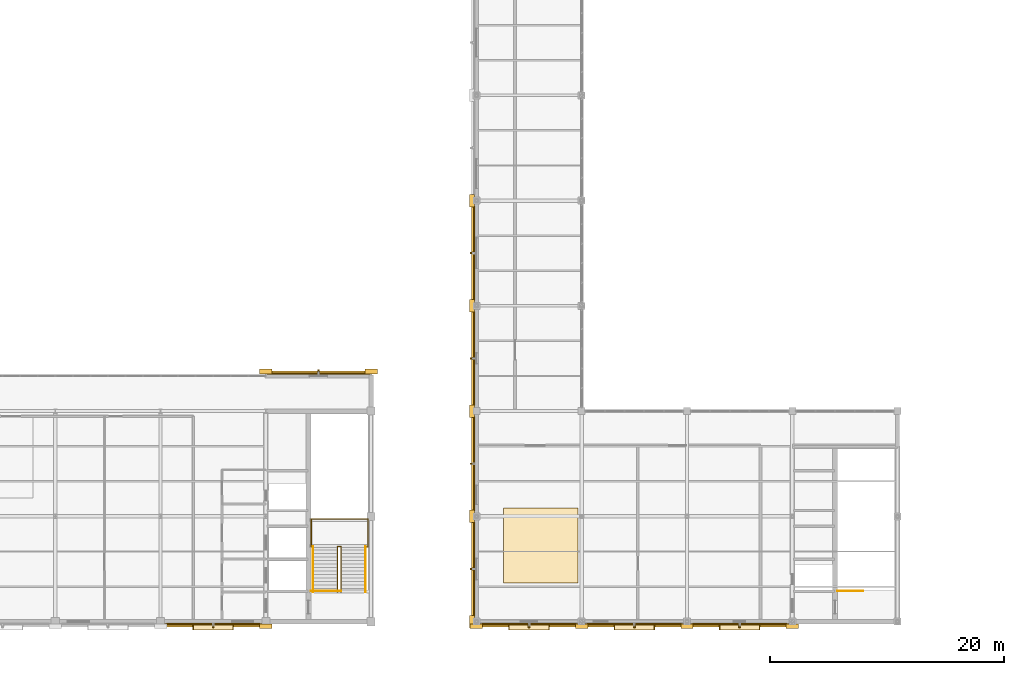
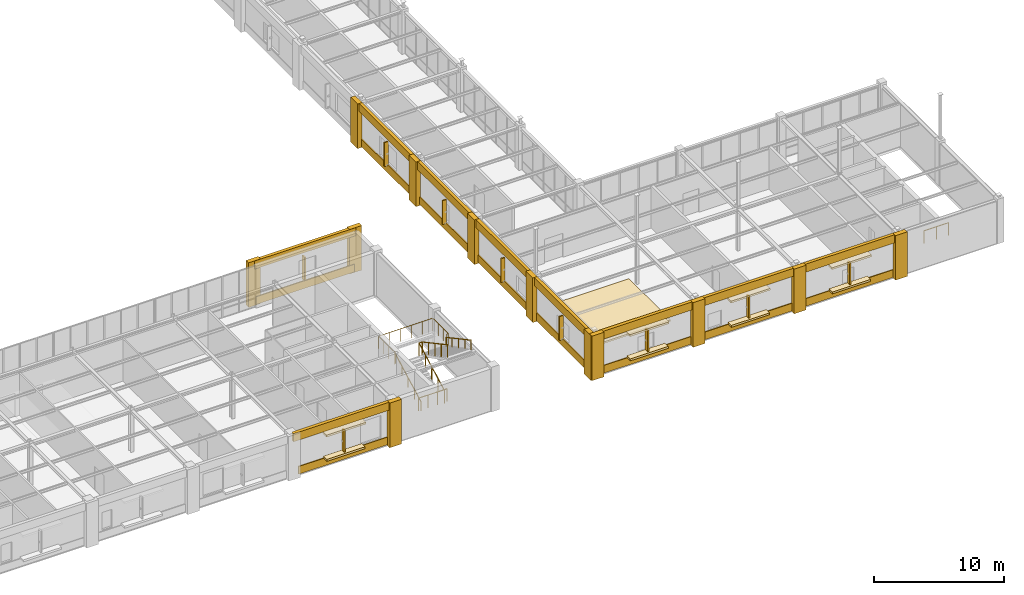
# One storey, part 94 of 97: 39 coverings, 9 shading devices, 6 railings.
"""IFC4 building model written with IfcOpenShell, lengths in metres."""

from ifc_helpers import new_model, si_unit, direction, frame, origin, origin_2d, place, context, subcontext, project, spatial, rectangle, circle, extrude, material, layer, layer_set, type_object, element, save


model = new_model("IFC4")

# Units and contexts
model_context = context("Model", 3, precision=1e-05, world=origin(), true_north=direction((0.0, 1.0)))
body_context = subcontext(model_context, "Body", "Model", "MODEL_VIEW")
ifc_project = project(units=[si_unit("LENGTHUNIT", "METRE"), si_unit("AREAUNIT", "SQUARE_METRE"), si_unit("VOLUMEUNIT", "CUBIC_METRE"), si_unit("PLANEANGLEUNIT", "RADIAN"), si_unit("MASSUNIT", "GRAM", prefix="KILO")], contexts=[model_context])

# Site, building, storey
site_placement = place(None, origin())
site = spatial("IfcSite", under=ifc_project, at=site_placement, CompositionType="ELEMENT")
building_placement = place(site_placement, origin())
building = spatial("IfcBuilding", under=site, at=building_placement, Name="Lykobir Media Centre", CompositionType="ELEMENT")
storey_placement = place(building_placement, frame((0.0, 0.0, 23.39990234375)))
storey = spatial("IfcBuildingStorey", under=building, at=storey_placement, Name="L05", CompositionType="ELEMENT", Elevation=23.39990234375)

# Coverings
ifc_material_1 = material(Name="Glazed Turquoise Terracotta", Category="masonry")
ifc_layer_1 = layer(ifc_material_1, 0.0400390625, Name="Glazed Turquoise Terracotta")
ifc_layer_set_1 = layer_set([ifc_layer_1], Name="Glazed Turquoise Terracotta")
covering_type_1 = type_object("IfcCoveringType", Name="CLD-TERR", PredefinedType="CLADDING", material=ifc_layer_set_1)
for number, where, z_axis, x_axis, name in (
    (1, (89.803955078125, 22.5, 0.080078125), (0.0, 0.0, 1.0), (0.0, -1.0, 0.0), "Facade spandrel apron 737"),
    (2, (89.803955078125, 31.5, 0.080078125), (0.0, 0.0, 1.0), (0.0, -1.0, 0.0), "Facade spandrel apron 740"),
    (3, (89.803955078125, 4.5, 0.080078125), (0.0, 0.0, 1.0), (0.0, -1.0, 0.0), "Facade spandrel apron 756"),
    (4, (89.803955078125, 13.5, 0.080078125), (0.0, 0.0, 1.0), (0.0, -1.0, 0.0), "Facade spandrel apron 758"),
    (5, (94.5, -0.196044921875, 0.080078125), (0.0, 0.0, 1.0), (1.0, 0.0, 0.0), "Facade spandrel apron 762"),
    (6, (103.5, -0.196044921875, 0.080078125), (0.0, 0.0, 1.0), (1.0, 0.0, 0.0), "Facade spandrel apron 767"),
    (7, (112.5, -0.196044921875, 0.080078125), (0.0, 0.0, 1.0), (1.0, 0.0, 0.0), "Facade spandrel apron 772"),
):
    element("IfcCovering", number, at=place(storey_placement, frame(where, z_axis=z_axis, x_axis=x_axis)), inside=storey, type_object=covering_type_1, Name=name, PredefinedType="CLADDING", context=body_context, shape_type="SweptSolid", body=[
        extrude(rectangle(XDim=8.030029296875, YDim=0.10009765625, at=origin_2d()), origin(), (0.0, 0.0, 1.0), 0.719970703125),
    ])
covering_1_placement = place(storey_placement, frame((76.5, 21.196044921875, 0.080078125), z_axis=(0.0, 0.0, 1.0), x_axis=(-1.0, 0.0, 0.0)))
element("IfcCovering", 8, at=covering_1_placement, inside=storey, type_object=covering_type_1, Name="Facade spandrel apron 778", PredefinedType="CLADDING", context=body_context, shape_type="SweptSolid", body=[
    extrude(rectangle(XDim=8.75, YDim=0.10009765625, at=origin_2d()), origin(), (0.0, 0.0, 1.0), 0.719970703125),
])
covering_2_placement = place(storey_placement, frame((67.5, -0.196044921875, 0.080078125), z_axis=(0.0, 0.0, 1.0), x_axis=(1.0, 0.0, 0.0)))
element("IfcCovering", 9, at=covering_2_placement, inside=storey, type_object=covering_type_1, Name="Facade spandrel apron 842", PredefinedType="CLADDING", context=body_context, shape_type="SweptSolid", body=[
    extrude(rectangle(XDim=7.929931640625, YDim=0.10009765625, at=origin_2d()), origin(), (0.0, 0.0, 1.0), 0.719970703125),
])
ifc_material_2 = material(Name="Honed Travertine Stone", Category="masonry")
ifc_layer_2 = layer(ifc_material_2, 0.050048828125, Name="Honed Travertine Stone")
ifc_layer_set_2 = layer_set([ifc_layer_2], Name="Honed Travertine Stone")
covering_type_2 = type_object("IfcCoveringType", Name="CLD-TRAV", PredefinedType="CLADDING", material=ifc_layer_set_2)
for number, where, z_axis, x_axis, name in (
    (10, (89.6201171875, 27.0, 0.0), (0.0, 0.0, 1.0), (0.0, -1.0, 0.0), "Travertine column pier 734"),
    (11, (89.6201171875, 18.0, 0.0), (0.0, 0.0, 1.0), (0.0, -1.0, 0.0), "Travertine column pier 735"),
):
    element("IfcCovering", number, at=place(storey_placement, frame(where, z_axis=z_axis, x_axis=x_axis)), inside=storey, type_object=covering_type_2, Name=name, PredefinedType="CLADDING", context=body_context, shape_type="SweptSolid", body=[
        extrude(rectangle(XDim=1.06005859375, YDim=0.39990234375, at=origin_2d()), origin(), (0.0, 0.0, 1.0), 4.199951171875),
    ])
covering_3_placement = place(storey_placement, frame((89.699951171875, 22.5, 3.43994140625), z_axis=(0.0, 0.0, 1.0), x_axis=(0.0, -1.0, 0.0)))
element("IfcCovering", 12, at=covering_3_placement, inside=storey, type_object=covering_type_2, Name="Travertine spandrel stringcourse 736", PredefinedType="CLADDING", context=body_context, shape_type="SweptSolid", body=[
    extrude(rectangle(XDim=9.0, YDim=0.280029296875, at=origin_2d()), origin(), (0.0, 0.0, 1.0), 0.760009765625),
])
covering_4_placement = place(storey_placement, frame((89.6201171875, 36.0, 0.0), z_axis=(0.0, 0.0, 1.0), x_axis=(0.0, -1.0, 0.0)))
element("IfcCovering", 13, at=covering_4_placement, inside=storey, type_object=covering_type_2, Name="Travertine column pier 738", PredefinedType="CLADDING", context=body_context, shape_type="SweptSolid", body=[
    extrude(rectangle(XDim=1.06005859375, YDim=0.39990234375, at=origin_2d()), origin(), (0.0, 0.0, 1.0), 4.199951171875),
])
covering_5_placement = place(storey_placement, frame((89.699951171875, 31.5, 3.43994140625), z_axis=(0.0, 0.0, 1.0), x_axis=(0.0, -1.0, 0.0)))
element("IfcCovering", 14, at=covering_5_placement, inside=storey, type_object=covering_type_2, Name="Travertine spandrel stringcourse 739", PredefinedType="CLADDING", context=body_context, shape_type="SweptSolid", body=[
    extrude(rectangle(XDim=9.0, YDim=0.280029296875, at=origin_2d()), origin(), (0.0, 0.0, 1.0), 0.760009765625),
])
for number, where, z_axis, x_axis, name in (
    (15, (89.6201171875, 9.0, 0.0), (0.0, 0.0, 1.0), (0.0, -1.0, 0.0), "Travertine column pier 753"),
    (16, (89.6201171875, 0.0, 0.0), (0.0, 0.0, 1.0), (0.0, -1.0, 0.0), "Travertine column pier 754"),
):
    element("IfcCovering", number, at=place(storey_placement, frame(where, z_axis=z_axis, x_axis=x_axis)), inside=storey, type_object=covering_type_2, Name=name, PredefinedType="CLADDING", context=body_context, shape_type="SweptSolid", body=[
        extrude(rectangle(XDim=1.06005859375, YDim=0.39990234375, at=origin_2d()), origin(), (0.0, 0.0, 1.0), 4.199951171875),
    ])
for number, where, z_axis, x_axis, name in (
    (17, (89.699951171875, 4.5, 3.43994140625), (0.0, 0.0, 1.0), (0.0, -1.0, 0.0), "Travertine spandrel stringcourse 755"),
    (18, (89.699951171875, 13.5, 3.43994140625), (0.0, 0.0, 1.0), (0.0, -1.0, 0.0), "Travertine spandrel stringcourse 757"),
):
    element("IfcCovering", number, at=place(storey_placement, frame(where, z_axis=z_axis, x_axis=x_axis)), inside=storey, type_object=covering_type_2, Name=name, PredefinedType="CLADDING", context=body_context, shape_type="SweptSolid", body=[
        extrude(rectangle(XDim=9.0, YDim=0.280029296875, at=origin_2d()), origin(), (0.0, 0.0, 1.0), 0.760009765625),
    ])
for number, where, z_axis, x_axis, name in (
    (19, (90.0, -0.3798828125, 0.0), (0.0, 0.0, 1.0), (1.0, 0.0, 0.0), "Travertine column pier 759"),
    (20, (99.0, -0.3798828125, 0.0), (0.0, 0.0, 1.0), (1.0, 0.0, 0.0), "Travertine column pier 760"),
):
    element("IfcCovering", number, at=place(storey_placement, frame(where, z_axis=z_axis, x_axis=x_axis)), inside=storey, type_object=covering_type_2, Name=name, PredefinedType="CLADDING", context=body_context, shape_type="SweptSolid", body=[
        extrude(rectangle(XDim=1.06005859375, YDim=0.39990234375, at=origin_2d()), origin(), (0.0, 0.0, 1.0), 4.199951171875),
    ])
covering_6_placement = place(storey_placement, frame((94.5, -0.300048828125, 3.43994140625), z_axis=(0.0, 0.0, 1.0), x_axis=(1.0, 0.0, 0.0)))
element("IfcCovering", 21, at=covering_6_placement, inside=storey, type_object=covering_type_2, Name="Travertine spandrel stringcourse 761", PredefinedType="CLADDING", context=body_context, shape_type="SweptSolid", body=[
    extrude(rectangle(XDim=9.0, YDim=0.280029296875, at=origin_2d()), origin(), (0.0, 0.0, 1.0), 0.760009765625),
])
covering_7_placement = place(storey_placement, frame((94.5, -0.429931640625, 0.77001953125), z_axis=(0.0, 0.0, 1.0), x_axis=(1.0, 0.0, 0.0)))
element("IfcCovering", 22, at=covering_7_placement, inside=storey, type_object=covering_type_2, Name="Ottoman Cumba sill 763", PredefinedType="CLADDING", context=body_context, shape_type="SweptSolid", body=[
    extrude(rectangle(XDim=3.39990234375, YDim=0.52001953125, at=origin_2d()), origin(), (0.0, 0.0, 1.0), 0.179931640625),
])
covering_8_placement = place(storey_placement, frame((94.5, -0.429931640625, 3.09033203125), z_axis=(0.0, 0.0, 1.0), x_axis=(1.0, 0.0, 0.0)))
element("IfcCovering", 23, at=covering_8_placement, inside=storey, type_object=covering_type_2, Name="Ottoman Cumba canopy 764", PredefinedType="CLADDING", context=body_context, shape_type="SweptSolid", body=[
    extrude(rectangle(XDim=3.5, YDim=0.60009765625, at=origin_2d()), origin(), (0.0, 0.0, 1.0), 0.179931640625),
])
covering_9_placement = place(storey_placement, frame((108.0, -0.3798828125, 0.0), z_axis=(0.0, 0.0, 1.0), x_axis=(1.0, 0.0, 0.0)))
element("IfcCovering", 24, at=covering_9_placement, inside=storey, type_object=covering_type_2, Name="Travertine column pier 765", PredefinedType="CLADDING", context=body_context, shape_type="SweptSolid", body=[
    extrude(rectangle(XDim=1.06005859375, YDim=0.39990234375, at=origin_2d()), origin(), (0.0, 0.0, 1.0), 4.199951171875),
])
covering_10_placement = place(storey_placement, frame((103.5, -0.300048828125, 3.43994140625), z_axis=(0.0, 0.0, 1.0), x_axis=(1.0, 0.0, 0.0)))
element("IfcCovering", 25, at=covering_10_placement, inside=storey, type_object=covering_type_2, Name="Travertine spandrel stringcourse 766", PredefinedType="CLADDING", context=body_context, shape_type="SweptSolid", body=[
    extrude(rectangle(XDim=9.0, YDim=0.280029296875, at=origin_2d()), origin(), (0.0, 0.0, 1.0), 0.760009765625),
])
covering_11_placement = place(storey_placement, frame((103.5, -0.429931640625, 0.77001953125), z_axis=(0.0, 0.0, 1.0), x_axis=(1.0, 0.0, 0.0)))
element("IfcCovering", 26, at=covering_11_placement, inside=storey, type_object=covering_type_2, Name="Ottoman Cumba sill 768", PredefinedType="CLADDING", context=body_context, shape_type="SweptSolid", body=[
    extrude(rectangle(XDim=3.39990234375, YDim=0.52001953125, at=origin_2d()), origin(), (0.0, 0.0, 1.0), 0.179931640625),
])
covering_12_placement = place(storey_placement, frame((103.5, -0.429931640625, 3.09033203125), z_axis=(0.0, 0.0, 1.0), x_axis=(1.0, 0.0, 0.0)))
element("IfcCovering", 27, at=covering_12_placement, inside=storey, type_object=covering_type_2, Name="Ottoman Cumba canopy 769", PredefinedType="CLADDING", context=body_context, shape_type="SweptSolid", body=[
    extrude(rectangle(XDim=3.5, YDim=0.60009765625, at=origin_2d()), origin(), (0.0, 0.0, 1.0), 0.179931640625),
])
covering_13_placement = place(storey_placement, frame((117.0, -0.3798828125, 0.0), z_axis=(0.0, 0.0, 1.0), x_axis=(1.0, 0.0, 0.0)))
element("IfcCovering", 28, at=covering_13_placement, inside=storey, type_object=covering_type_2, Name="Travertine column pier 770", PredefinedType="CLADDING", context=body_context, shape_type="SweptSolid", body=[
    extrude(rectangle(XDim=1.06005859375, YDim=0.39990234375, at=origin_2d()), origin(), (0.0, 0.0, 1.0), 4.199951171875),
])
covering_14_placement = place(storey_placement, frame((112.5, -0.300048828125, 3.43994140625), z_axis=(0.0, 0.0, 1.0), x_axis=(1.0, 0.0, 0.0)))
element("IfcCovering", 29, at=covering_14_placement, inside=storey, type_object=covering_type_2, Name="Travertine spandrel stringcourse 771", PredefinedType="CLADDING", context=body_context, shape_type="SweptSolid", body=[
    extrude(rectangle(XDim=9.0, YDim=0.280029296875, at=origin_2d()), origin(), (0.0, 0.0, 1.0), 0.760009765625),
])
covering_15_placement = place(storey_placement, frame((112.5, -0.429931640625, 0.77001953125), z_axis=(0.0, 0.0, 1.0), x_axis=(1.0, 0.0, 0.0)))
element("IfcCovering", 30, at=covering_15_placement, inside=storey, type_object=covering_type_2, Name="Ottoman Cumba sill 773", PredefinedType="CLADDING", context=body_context, shape_type="SweptSolid", body=[
    extrude(rectangle(XDim=3.39990234375, YDim=0.52001953125, at=origin_2d()), origin(), (0.0, 0.0, 1.0), 0.179931640625),
])
covering_16_placement = place(storey_placement, frame((112.5, -0.429931640625, 3.09033203125), z_axis=(0.0, 0.0, 1.0), x_axis=(1.0, 0.0, 0.0)))
element("IfcCovering", 31, at=covering_16_placement, inside=storey, type_object=covering_type_2, Name="Ottoman Cumba canopy 774", PredefinedType="CLADDING", context=body_context, shape_type="SweptSolid", body=[
    extrude(rectangle(XDim=3.5, YDim=0.60009765625, at=origin_2d()), origin(), (0.0, 0.0, 1.0), 0.179931640625),
])
for number, where, z_axis, x_axis, name in (
    (32, (81.0, 21.3798828125, 0.0), (0.0, 0.0, 1.0), (-1.0, 0.0, 0.0), "Travertine column pier 775"),
    (33, (72.0, 21.3798828125, 0.0), (0.0, 0.0, 1.0), (-1.0, 0.0, 0.0), "Travertine column pier 776"),
):
    element("IfcCovering", number, at=place(storey_placement, frame(where, z_axis=z_axis, x_axis=x_axis)), inside=storey, type_object=covering_type_2, Name=name, PredefinedType="CLADDING", context=body_context, shape_type="SweptSolid", body=[
        extrude(rectangle(XDim=1.06005859375, YDim=0.39990234375, at=origin_2d()), origin(), (0.0, 0.0, 1.0), 4.199951171875),
    ])
covering_17_placement = place(storey_placement, frame((76.5, 21.300048828125, 3.43994140625), z_axis=(0.0, 0.0, 1.0), x_axis=(-1.0, 0.0, 0.0)))
element("IfcCovering", 34, at=covering_17_placement, inside=storey, type_object=covering_type_2, Name="Travertine spandrel stringcourse 777", PredefinedType="CLADDING", context=body_context, shape_type="SweptSolid", body=[
    extrude(rectangle(XDim=9.0, YDim=0.280029296875, at=origin_2d()), origin(), (0.0, 0.0, 1.0), 0.760009765625),
])
covering_18_placement = place(storey_placement, frame((72.0, -0.3798828125, 0.0), z_axis=(0.0, 0.0, 1.0), x_axis=(1.0, 0.0, 0.0)))
element("IfcCovering", 35, at=covering_18_placement, inside=storey, type_object=covering_type_2, Name="Travertine column pier 840", PredefinedType="CLADDING", context=body_context, shape_type="SweptSolid", body=[
    extrude(rectangle(XDim=1.06005859375, YDim=0.39990234375, at=origin_2d()), origin(), (0.0, 0.0, 1.0), 4.199951171875),
])
covering_19_placement = place(storey_placement, frame((67.5, -0.300048828125, 3.43994140625), z_axis=(0.0, 0.0, 1.0), x_axis=(1.0, 0.0, 0.0)))
element("IfcCovering", 36, at=covering_19_placement, inside=storey, type_object=covering_type_2, Name="Travertine spandrel stringcourse 841", PredefinedType="CLADDING", context=body_context, shape_type="SweptSolid", body=[
    extrude(rectangle(XDim=9.0, YDim=0.280029296875, at=origin_2d()), origin(), (0.0, 0.0, 1.0), 0.760009765625),
])
covering_20_placement = place(storey_placement, frame((67.5, -0.429931640625, 0.77001953125), z_axis=(0.0, 0.0, 1.0), x_axis=(1.0, 0.0, 0.0)))
element("IfcCovering", 37, at=covering_20_placement, inside=storey, type_object=covering_type_2, Name="Ottoman Cumba sill 843", PredefinedType="CLADDING", context=body_context, shape_type="SweptSolid", body=[
    extrude(rectangle(XDim=3.39990234375, YDim=0.52001953125, at=origin_2d()), origin(), (0.0, 0.0, 1.0), 0.179931640625),
])
covering_21_placement = place(storey_placement, frame((67.5, -0.429931640625, 3.09033203125), z_axis=(0.0, 0.0, 1.0), x_axis=(1.0, 0.0, 0.0)))
element("IfcCovering", 38, at=covering_21_placement, inside=storey, type_object=covering_type_2, Name="Ottoman Cumba canopy 844", PredefinedType="CLADDING", context=body_context, shape_type="SweptSolid", body=[
    extrude(rectangle(XDim=3.5, YDim=0.60009765625, at=origin_2d()), origin(), (0.0, 0.0, 1.0), 0.179931640625),
])
ifc_material_3 = material(Name="Acoustic Timber Panelling", Category="wood")
ifc_layer_3 = layer(ifc_material_3, 0.14990234375, Name="Acoustic Timber Panelling")
ifc_layer_set_3 = layer_set([ifc_layer_3], Name="Acoustic Timber Panelling")
covering_type_3 = type_object("IfcCoveringType", Name="COV-FLR-150", PredefinedType="FLOORING", material=ifc_layer_set_3)
covering_22_placement = place(storey_placement, frame((95.5, 6.5, 0.000244140625), z_axis=(0.0, 0.0, 1.0), x_axis=(1.0, 0.0, 0.0)))
element("IfcCovering", 39, at=covering_22_placement, inside=storey, type_object=covering_type_3, Name="L05 floating studio acoustic floor 6", PredefinedType="FLOORING", context=body_context, shape_type="SweptSolid", body=[
    extrude(rectangle(XDim=6.39990234375, YDim=6.39990234375, at=origin_2d()), origin(), (0.0, 0.0, 1.0), 0.14990234375),
])

# Railings
ifc_material_4 = material(Name="Steel S355", Category="steel")
railing_type_1 = type_object("IfcRailingType", Name="GR-1200", PredefinedType="BALUSTRADE", material=ifc_material_4)
railing_1_placement = place(storey_placement, frame((75.8701171875, 2.6298828125, 0.0)))
element("IfcRailing", 40, at=railing_1_placement, inside=storey, type_object=railing_type_1, Name="ST-2 L05 arrival well guard", PredefinedType="BALUSTRADE", context=body_context, shape_type="SweptSolid", body=[
    extrude(circle(Radius=0.02392578125, at=origin_2d()), frame((0.0, 0.0, 1.17578125), z_axis=(1.0, 0.0, 0.0), x_axis=(0.0, 1.0, 0.0)), (0.0, 0.0, 1.0), 2.539794921875),
    extrude(circle(Radius=0.02099609375, at=origin_2d()), origin(), (0.0, 0.0, 1.0), 1.15185546875),
    extrude(circle(Radius=0.02099609375, at=origin_2d()), frame((0.8466796875, 0.0, 0.0)), (0.0, 0.0, 1.0), 1.15185546875),
    extrude(circle(Radius=0.02099609375, at=origin_2d()), frame((1.693115234375, 0.0, 0.0)), (0.0, 0.0, 1.0), 1.15185546875),
    extrude(circle(Radius=0.02099609375, at=origin_2d()), frame((2.539794921875, 0.0, 0.0)), (0.0, 0.0, 1.0), 1.15185546875),
])
railing_2_placement = place(storey_placement, frame((78.1298828125, 2.530029296875, 0.0)))
element("IfcRailing", 41, at=railing_2_placement, inside=storey, type_object=railing_type_1, Name="ST-2 L05 inner well and slot guard", PredefinedType="BALUSTRADE", context=body_context, shape_type="SweptSolid", body=[
    extrude(circle(Radius=0.02392578125, at=origin_2d()), frame((0.0, 0.0, 1.17578125), z_axis=(0.0, 0.880456940745, 0.474126117709), x_axis=(-1.0, 0.0, 0.0)), (0.0, 0.0, 1.0), 4.429443359375),
    extrude(circle(Radius=0.02392578125, at=origin_2d()), frame((0.0, 3.89990234375, 3.27587890625), z_axis=(1.0, 0.0, 0.0), x_axis=(0.0, 1.0, 0.0)), (0.0, 0.0, 1.0), 0.280029296875),
    extrude(circle(Radius=0.02392578125, at=origin_2d()), frame((0.280029296875, 3.89990234375, 3.27587890625), z_axis=(0.0, -0.880456940745, 0.474126117709), x_axis=(1.0, 0.0, 0.0)), (0.0, 0.0, 1.0), 4.429443359375),
    extrude(circle(Radius=0.02099609375, at=origin_2d()), origin(), (0.0, 0.0, 1.0), 1.15185546875),
    extrude(circle(Radius=0.02099609375, at=origin_2d()), frame((0.0, 0.97509765625, 0.52490234375)), (0.0, 0.0, 1.0), 1.15185546875),
    extrude(circle(Radius=0.02099609375, at=origin_2d()), frame((0.0, 1.949951171875, 1.050048828125)), (0.0, 0.0, 1.0), 1.15185546875),
    extrude(circle(Radius=0.02099609375, at=origin_2d()), frame((0.0, 2.9248046875, 1.5751953125)), (0.0, 0.0, 1.0), 1.15185546875),
    extrude(circle(Radius=0.02099609375, at=origin_2d()), frame((0.0, 3.89990234375, 2.10009765625)), (0.0, 0.0, 1.0), 1.15185546875),
    extrude(circle(Radius=0.02099609375, at=origin_2d()), frame((0.280029296875, 3.89990234375, 2.10009765625)), (0.0, 0.0, 1.0), 1.15185546875),
    extrude(circle(Radius=0.02099609375, at=origin_2d()), frame((0.280029296875, 2.9248046875, 2.625)), (0.0, 0.0, 1.0), 1.15185546875),
    extrude(circle(Radius=0.02099609375, at=origin_2d()), frame((0.280029296875, 1.949951171875, 3.150146484375)), (0.0, 0.0, 1.0), 1.15185546875),
    extrude(circle(Radius=0.02099609375, at=origin_2d()), frame((0.280029296875, 0.97509765625, 3.67529296875)), (0.0, 0.0, 1.0), 1.15185546875),
    extrude(circle(Radius=0.02099609375, at=origin_2d()), frame((0.280029296875, 0.0, 4.2001953125)), (0.0, 0.0, 1.0), 1.15185546875),
])
railing_3_placement = place(storey_placement, frame((75.989990234375, 6.389892578125, 2.10009765625)))
element("IfcRailing", 42, at=railing_3_placement, inside=storey, type_object=railing_type_1, Name="ST-2 L05 half-landing perimeter guard", PredefinedType="BALUSTRADE", context=body_context, shape_type="SweptSolid", body=[
    extrude(circle(Radius=0.02392578125, at=origin_2d()), frame((0.0, 0.0, 1.17578125), z_axis=(-1.0, 0.0, 0.0), x_axis=(0.0, -1.0, 0.0)), (0.0, 0.0, 1.0), 0.110107421875),
    extrude(circle(Radius=0.02392578125, at=origin_2d()), frame((-0.110107421875, 0.0, 1.17578125), z_axis=(0.0, 1.0, 0.0), x_axis=(-1.0, 0.0, 0.0)), (0.0, 0.0, 1.0), 2.400146484375),
    extrude(circle(Radius=0.02392578125, at=origin_2d()), frame((-0.110107421875, 2.400146484375, 1.17578125), z_axis=(1.0, 0.0, 0.0), x_axis=(0.0, 1.0, 0.0)), (0.0, 0.0, 1.0), 4.840087890625),
    extrude(circle(Radius=0.02392578125, at=origin_2d()), frame((4.72998046875, 2.400146484375, 1.17578125), z_axis=(0.0, -1.0, 0.0), x_axis=(1.0, 0.0, 0.0)), (0.0, 0.0, 1.0), 2.400146484375),
    extrude(circle(Radius=0.02392578125, at=origin_2d()), frame((4.72998046875, 0.0, 1.17578125), z_axis=(-1.0, 0.0, 0.0), x_axis=(0.0, -1.0, 0.0)), (0.0, 0.0, 1.0), 0.169921875),
    extrude(circle(Radius=0.02099609375, at=origin_2d()), origin(), (0.0, 0.0, 1.0), 1.15185546875),
    extrude(circle(Radius=0.02099609375, at=origin_2d()), frame((-0.110107421875, 0.0, 0.0)), (0.0, 0.0, 1.0), 1.15185546875),
    extrude(circle(Radius=0.02099609375, at=origin_2d()), frame((-0.110107421875, 0.800048828125, 0.0)), (0.0, 0.0, 1.0), 1.15185546875),
    extrude(circle(Radius=0.02099609375, at=origin_2d()), frame((-0.110107421875, 1.60009765625, 0.0)), (0.0, 0.0, 1.0), 1.15185546875),
    extrude(circle(Radius=0.02099609375, at=origin_2d()), frame((-0.110107421875, 2.400146484375, 0.0)), (0.0, 0.0, 1.0), 1.15185546875),
    extrude(circle(Radius=0.02099609375, at=origin_2d()), frame((0.85791015625, 2.400146484375, 0.0)), (0.0, 0.0, 1.0), 1.15185546875),
    extrude(circle(Radius=0.02099609375, at=origin_2d()), frame((1.825927734375, 2.400146484375, 0.0)), (0.0, 0.0, 1.0), 1.15185546875),
    extrude(circle(Radius=0.02099609375, at=origin_2d()), frame((2.7939453125, 2.400146484375, 0.0)), (0.0, 0.0, 1.0), 1.15185546875),
    extrude(circle(Radius=0.02099609375, at=origin_2d()), frame((3.761962890625, 2.400146484375, 0.0)), (0.0, 0.0, 1.0), 1.15185546875),
    extrude(circle(Radius=0.02099609375, at=origin_2d()), frame((4.72998046875, 2.400146484375, 0.0)), (0.0, 0.0, 1.0), 1.15185546875),
    extrude(circle(Radius=0.02099609375, at=origin_2d()), frame((4.72998046875, 1.60009765625, 0.0)), (0.0, 0.0, 1.0), 1.15185546875),
    extrude(circle(Radius=0.02099609375, at=origin_2d()), frame((4.72998046875, 0.800048828125, 0.0)), (0.0, 0.0, 1.0), 1.15185546875),
    extrude(circle(Radius=0.02099609375, at=origin_2d()), frame((4.72998046875, 0.0, 0.0)), (0.0, 0.0, 1.0), 1.15185546875),
    extrude(circle(Radius=0.02099609375, at=origin_2d()), frame((4.56005859375, 0.0, 0.0)), (0.0, 0.0, 1.0), 1.15185546875),
])
railing_4_placement = place(storey_placement, frame((120.8701171875, 2.6298828125, 0.0)))
element("IfcRailing", 43, at=railing_4_placement, inside=storey, type_object=railing_type_1, Name="ST-5 L05 arrival well guard", PredefinedType="BALUSTRADE", context=body_context, shape_type="SweptSolid", body=[
    extrude(circle(Radius=0.02392578125, at=origin_2d()), frame((0.0, 0.0, 1.17578125), z_axis=(1.0, 0.0, 0.0), x_axis=(0.0, 1.0, 0.0)), (0.0, 0.0, 1.0), 2.18994140625),
    extrude(circle(Radius=0.02099609375, at=origin_2d()), origin(), (0.0, 0.0, 1.0), 1.15185546875),
    extrude(circle(Radius=0.02099609375, at=origin_2d()), frame((1.094970703125, 0.0, 0.0)), (0.0, 0.0, 1.0), 1.15185546875),
    extrude(circle(Radius=0.02099609375, at=origin_2d()), frame((2.18994140625, 0.0, 0.0)), (0.0, 0.0, 1.0), 1.15185546875),
])
railing_type_2 = type_object("IfcRailingType", Name="HR-0900", PredefinedType="HANDRAIL", material=ifc_material_4)
railing_5_placement = place(storey_placement, frame((76.030029296875, 2.530029296875, 0.0)))
element("IfcRailing", 44, at=railing_5_placement, inside=storey, type_object=railing_type_2, Name="ST-2 L05 F1 wall handrail", PredefinedType="HANDRAIL", context=body_context, shape_type="SweptSolid", body=[
    extrude(circle(Radius=0.02392578125, at=origin_2d()), frame((0.0, 0.0, 0.8759765625), z_axis=(0.0, 0.880456940745, 0.474126117709), x_axis=(-1.0, 0.0, 0.0)), (0.0, 0.0, 1.0), 4.429443359375),
    extrude(circle(Radius=0.02099609375, at=origin_2d()), origin(), (0.0, 0.0, 1.0), 0.851806640625),
    extrude(circle(Radius=0.02099609375, at=origin_2d()), frame((0.0, 0.97509765625, 0.52490234375)), (0.0, 0.0, 1.0), 0.851806640625),
    extrude(circle(Radius=0.02099609375, at=origin_2d()), frame((0.0, 1.949951171875, 1.050048828125)), (0.0, 0.0, 1.0), 0.851806640625),
    extrude(circle(Radius=0.02099609375, at=origin_2d()), frame((0.0, 2.9248046875, 1.5751953125)), (0.0, 0.0, 1.0), 0.851806640625),
    extrude(circle(Radius=0.02099609375, at=origin_2d()), frame((0.0, 3.89990234375, 2.10009765625)), (0.0, 0.0, 1.0), 0.851806640625),
])
railing_6_placement = place(storey_placement, frame((80.510009765625, 6.429931640625, 2.10009765625)))
element("IfcRailing", 45, at=railing_6_placement, inside=storey, type_object=railing_type_2, Name="ST-2 L05 F2 wall handrail", PredefinedType="HANDRAIL", context=body_context, shape_type="SweptSolid", body=[
    extrude(circle(Radius=0.02392578125, at=origin_2d()), frame((0.0, 0.0, 0.8759765625), z_axis=(0.0, -0.880456940745, 0.474126117709), x_axis=(1.0, 0.0, 0.0)), (0.0, 0.0, 1.0), 4.429443359375),
    extrude(circle(Radius=0.02099609375, at=origin_2d()), origin(), (0.0, 0.0, 1.0), 0.851806640625),
    extrude(circle(Radius=0.02099609375, at=origin_2d()), frame((0.0, -0.97509765625, 0.52490234375)), (0.0, 0.0, 1.0), 0.851806640625),
    extrude(circle(Radius=0.02099609375, at=origin_2d()), frame((0.0, -1.949951171875, 1.050048828125)), (0.0, 0.0, 1.0), 0.851806640625),
    extrude(circle(Radius=0.02099609375, at=origin_2d()), frame((0.0, -2.9248046875, 1.5751953125)), (0.0, 0.0, 1.0), 0.851806640625),
    extrude(circle(Radius=0.02099609375, at=origin_2d()), frame((0.0, -3.89990234375, 2.10009765625)), (0.0, 0.0, 1.0), 0.851806640625),
])

# Shading devices
shading_device_type = type_object("IfcShadingDeviceType", Name="SHD-FIN", PredefinedType="USERDEFINED", material=ifc_material_1)
for number, where, z_axis, x_axis, name in (
    (46, (89.64990234375, 22.5, 0.72509765625), (0.0, 0.0, 1.0), (0.0, -1.0, 0.0), "Terracotta shading fin 82"),
    (47, (89.64990234375, 31.5, 0.72509765625), (0.0, 0.0, 1.0), (0.0, -1.0, 0.0), "Terracotta shading fin 83"),
    (48, (89.64990234375, 4.5, 0.72509765625), (0.0, 0.0, 1.0), (0.0, -1.0, 0.0), "Terracotta shading fin 88"),
    (49, (89.64990234375, 13.5, 0.72509765625), (0.0, 0.0, 1.0), (0.0, -1.0, 0.0), "Terracotta shading fin 89"),
    (50, (94.5, -0.35009765625, 0.72509765625), (0.0, 0.0, 1.0), (1.0, 0.0, 0.0), "Terracotta shading fin 90"),
    (51, (103.5, -0.35009765625, 0.72509765625), (0.0, 0.0, 1.0), (1.0, 0.0, 0.0), "Terracotta shading fin 91"),
    (52, (112.5, -0.35009765625, 0.72509765625), (0.0, 0.0, 1.0), (1.0, 0.0, 0.0), "Terracotta shading fin 92"),
    (53, (76.5, 21.35009765625, 0.72509765625), (0.0, 0.0, 1.0), (-1.0, 0.0, 0.0), "Terracotta shading fin 93"),
    (54, (67.5, -0.35009765625, 0.72509765625), (0.0, 0.0, 1.0), (1.0, 0.0, 0.0), "Terracotta shading fin 109"),
):
    element("IfcShadingDevice", number, at=place(storey_placement, frame(where, z_axis=z_axis, x_axis=x_axis)), inside=storey, type_object=shading_device_type, Name=name, ObjectType="FIN", PredefinedType="USERDEFINED", context=body_context, shape_type="SweptSolid", body=[
        extrude(rectangle(XDim=0.1201171875, YDim=0.35009765625, at=origin_2d()), origin(), (0.0, 0.0, 1.0), 2.25),
    ])

save(model, "model.ifc")
